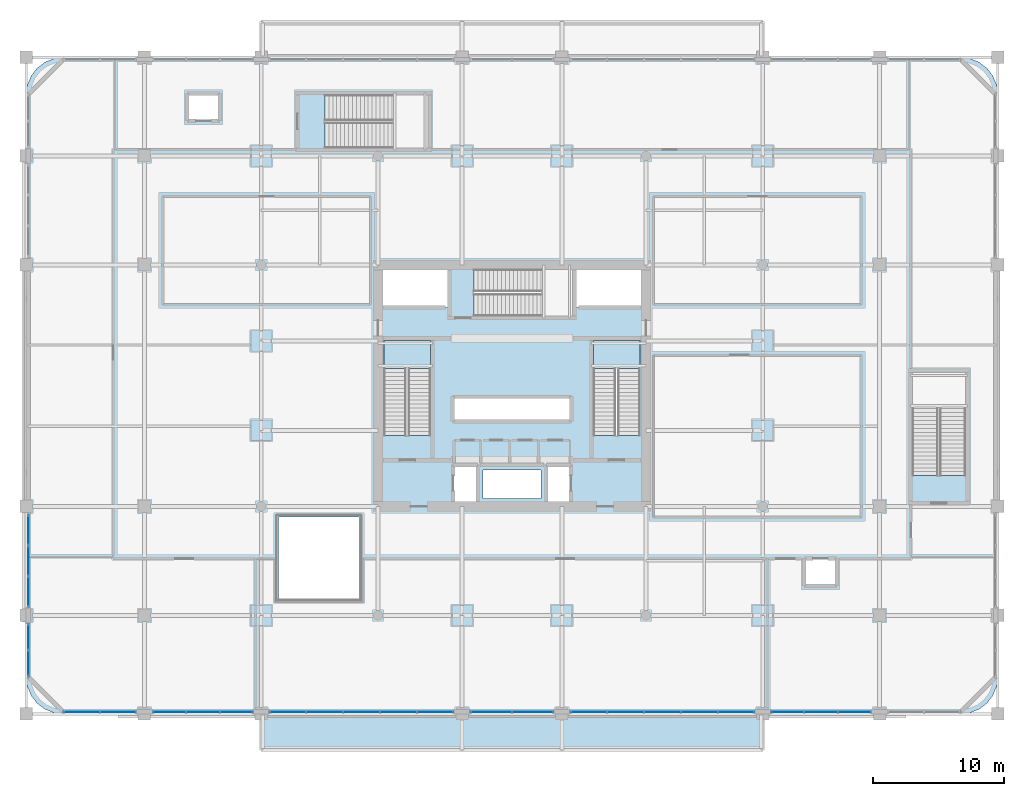
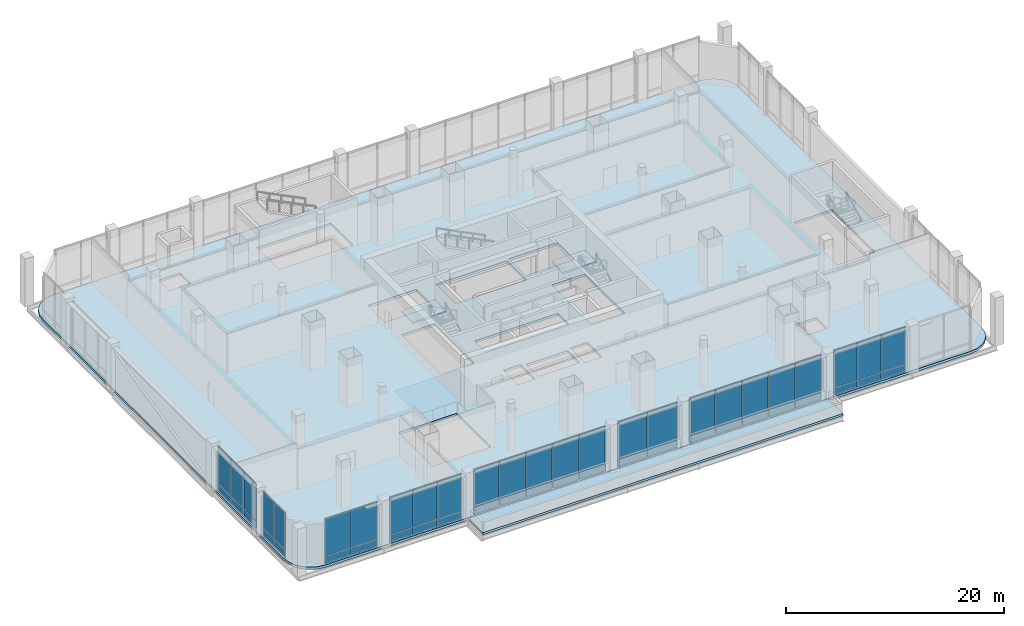
# One storey, part 24 of 43: 50 plates, 4 slabs, 10 elements without a shape of their own.
"""IFC4 building model written with IfcOpenShell, lengths in metres."""

from ifc_helpers import new_model, si_unit, direction, frame, origin, origin_2d, place, context, subcontext, project, spatial, polyline, rectangle, outline, extrude, material, layer, layer_set, type_object, element, aggregate, save


model = new_model("IFC4")

# Units and contexts
model_context = context("Model", 3, precision=1e-05, world=origin(), true_north=direction((0.0, 1.0)))
body_context = subcontext(model_context, "Body", "Model", "MODEL_VIEW")
ifc_project = project(units=[si_unit("LENGTHUNIT", "METRE"), si_unit("AREAUNIT", "SQUARE_METRE"), si_unit("VOLUMEUNIT", "CUBIC_METRE"), si_unit("PLANEANGLEUNIT", "RADIAN"), si_unit("MASSUNIT", "GRAM", prefix="KILO")], contexts=[model_context])

# Site, building, storey
site_placement = place(None, origin())
site = spatial("IfcSite", under=ifc_project, at=site_placement, CompositionType="ELEMENT")
building_placement = place(site_placement, origin())
building = spatial("IfcBuilding", under=site, at=building_placement, Name="Punatoya Terracotta Tower", CompositionType="ELEMENT")
storey_placement = place(building_placement, frame((0.0, 0.0, 6.0)))
storey = spatial("IfcBuildingStorey", under=building, at=storey_placement, Name="L01", CompositionType="ELEMENT", Elevation=6.0)

# Curtain wall, plates
ifc_material_1 = material(Name="Aluminium 6063-T6 + Double Low-E Glass", Category="aluminium")
curtain_wall_type = type_object("IfcCurtainWallType", Name="CW-POD", PredefinedType="NOTDEFINED", material=ifc_material_1)
curtain_wall_1_placement = place(storey_placement, origin())
curtain_wall_1 = element("IfcCurtainWall", 1, at=curtain_wall_1_placement, inside=storey, type_object=curtain_wall_type, Name="L01 Curtain Wall CWP-L01-S1", PredefinedType="NOTDEFINED")
ifc_material_2 = material(Name="Double Low-E Clear Vision Glass", Category="glass")
ifc_layer_1 = layer(ifc_material_2, 0.028076171875)
ifc_layer_set_1 = layer_set([ifc_layer_1], Name="Double Low-E Clear Vision Glass")
plate_type_1 = type_object("IfcPlateType", Name="PLT-GLZ-28", PredefinedType="CURTAIN_PANEL", material=ifc_layer_set_1)
plate_1_placement = place(storey_placement, frame((-32.804931640625, -24.840087890625, 0.89013671875), z_axis=(0.0, 0.0, 1.0), x_axis=(1.0, 0.0, 0.0)))
plate_1 = element("IfcPlate", 2, at=plate_1_placement, type_object=plate_type_1, Name="CWP-L01-S1 Vision Glass Panel 1", PredefinedType="CURTAIN_PANEL", context=body_context, shape_type="SweptSolid", body=[
    extrude(rectangle(XDim=2.705078125, YDim=0.028076171875, at=origin_2d()), origin(), (0.0, 0.0, 1.0), 4.18994140625),
])
plate_2_placement = place(storey_placement, frame((-30.014892578125, -24.840087890625, 0.89013671875), z_axis=(0.0, 0.0, 1.0), x_axis=(1.0, 0.0, 0.0)))
plate_2 = element("IfcPlate", 3, at=plate_2_placement, type_object=plate_type_1, Name="CWP-L01-S1 Vision Glass Panel 2", PredefinedType="CURTAIN_PANEL", context=body_context, shape_type="SweptSolid", body=[
    extrude(rectangle(XDim=2.705078125, YDim=0.028076171875, at=origin_2d()), origin(), (0.0, 0.0, 1.0), 4.18994140625),
])

curtain_wall_2_placement = place(storey_placement, origin())
curtain_wall_2 = element("IfcCurtainWall", 4, at=curtain_wall_2_placement, inside=storey, type_object=curtain_wall_type, Name="L01 Curtain Wall CWP-L01-S2", PredefinedType="NOTDEFINED")
plate_3_placement = place(storey_placement, frame((-26.103271484375, -24.840087890625, 0.89013671875), z_axis=(0.0, 0.0, 1.0), x_axis=(1.0, 0.0, 0.0)))
plate_3 = element("IfcPlate", 5, at=plate_3_placement, type_object=plate_type_1, Name="CWP-L01-S2 Vision Glass Panel 1", PredefinedType="CURTAIN_PANEL", context=body_context, shape_type="SweptSolid", body=[
    extrude(rectangle(XDim=2.46826171875, YDim=0.028076171875, at=origin_2d()), origin(), (0.0, 0.0, 1.0), 4.18994140625),
])
plate_4_placement = place(storey_placement, frame((-23.550048828125, -24.840087890625, 0.89013671875), z_axis=(0.0, 0.0, 1.0), x_axis=(1.0, 0.0, 0.0)))
plate_4 = element("IfcPlate", 6, at=plate_4_placement, type_object=plate_type_1, Name="CWP-L01-S2 Vision Glass Panel 2", PredefinedType="CURTAIN_PANEL", context=body_context, shape_type="SweptSolid", body=[
    extrude(rectangle(XDim=2.46826171875, YDim=0.028076171875, at=origin_2d()), origin(), (0.0, 0.0, 1.0), 4.18994140625),
])
plate_5_placement = place(storey_placement, frame((-20.99658203125, -24.840087890625, 0.89013671875), z_axis=(0.0, 0.0, 1.0), x_axis=(1.0, 0.0, 0.0)))
plate_5 = element("IfcPlate", 7, at=plate_5_placement, type_object=plate_type_1, Name="CWP-L01-S2 Vision Glass Panel 3", PredefinedType="CURTAIN_PANEL", context=body_context, shape_type="SweptSolid", body=[
    extrude(rectangle(XDim=2.46826171875, YDim=0.028076171875, at=origin_2d()), origin(), (0.0, 0.0, 1.0), 4.18994140625),
])

curtain_wall_3_placement = place(storey_placement, origin())
curtain_wall_3 = element("IfcCurtainWall", 8, at=curtain_wall_3_placement, inside=storey, type_object=curtain_wall_type, Name="L01 Curtain Wall CWP-L01-S3", PredefinedType="NOTDEFINED")
plate_6_placement = place(storey_placement, frame((-17.073974609375, -24.840087890625, 0.89013671875), z_axis=(0.0, 0.0, 1.0), x_axis=(1.0, 0.0, 0.0)))
plate_6 = element("IfcPlate", 9, at=plate_6_placement, type_object=plate_type_1, Name="CWP-L01-S3 Vision Glass Panel 1", PredefinedType="CURTAIN_PANEL", context=body_context, shape_type="SweptSolid", body=[
    extrude(rectangle(XDim=2.72705078125, YDim=0.028076171875, at=origin_2d()), origin(), (0.0, 0.0, 1.0), 4.18994140625),
])
plate_7_placement = place(storey_placement, frame((-14.261962890625, -24.840087890625, 0.89013671875), z_axis=(0.0, 0.0, 1.0), x_axis=(1.0, 0.0, 0.0)))
plate_7 = element("IfcPlate", 10, at=plate_7_placement, type_object=plate_type_1, Name="CWP-L01-S3 Vision Glass Panel 2", PredefinedType="CURTAIN_PANEL", context=body_context, shape_type="SweptSolid", body=[
    extrude(rectangle(XDim=2.72705078125, YDim=0.028076171875, at=origin_2d()), origin(), (0.0, 0.0, 1.0), 4.18994140625),
])
plate_8_placement = place(storey_placement, frame((-11.449951171875, -24.840087890625, 0.89013671875), z_axis=(0.0, 0.0, 1.0), x_axis=(1.0, 0.0, 0.0)))
plate_8 = element("IfcPlate", 11, at=plate_8_placement, type_object=plate_type_1, Name="CWP-L01-S3 Vision Glass Panel 3", PredefinedType="CURTAIN_PANEL", context=body_context, shape_type="SweptSolid", body=[
    extrude(rectangle(XDim=2.72705078125, YDim=0.028076171875, at=origin_2d()), origin(), (0.0, 0.0, 1.0), 4.18994140625),
])
plate_9_placement = place(storey_placement, frame((-8.637939453125, -24.840087890625, 0.89013671875), z_axis=(0.0, 0.0, 1.0), x_axis=(1.0, 0.0, 0.0)))
plate_9 = element("IfcPlate", 12, at=plate_9_placement, type_object=plate_type_1, Name="CWP-L01-S3 Vision Glass Panel 4", PredefinedType="CURTAIN_PANEL", context=body_context, shape_type="SweptSolid", body=[
    extrude(rectangle(XDim=2.72705078125, YDim=0.028076171875, at=origin_2d()), origin(), (0.0, 0.0, 1.0), 4.18994140625),
])
plate_10_placement = place(storey_placement, frame((-5.825927734375, -24.840087890625, 0.89013671875), z_axis=(0.0, 0.0, 1.0), x_axis=(1.0, 0.0, 0.0)))
plate_10 = element("IfcPlate", 13, at=plate_10_placement, type_object=plate_type_1, Name="CWP-L01-S3 Vision Glass Panel 5", PredefinedType="CURTAIN_PANEL", context=body_context, shape_type="SweptSolid", body=[
    extrude(rectangle(XDim=2.72705078125, YDim=0.028076171875, at=origin_2d()), origin(), (0.0, 0.0, 1.0), 4.18994140625),
])

curtain_wall_4_placement = place(storey_placement, origin())
curtain_wall_4 = element("IfcCurtainWall", 14, at=curtain_wall_4_placement, inside=storey, type_object=curtain_wall_type, Name="L01 Curtain Wall CWP-L01-S4", PredefinedType="NOTDEFINED")
plate_11_placement = place(storey_placement, frame((-1.590087890625, -24.840087890625, 0.89013671875), z_axis=(0.0, 0.0, 1.0), x_axis=(1.0, 0.0, 0.0)))
plate_11 = element("IfcPlate", 15, at=plate_11_placement, type_object=plate_type_1, Name="CWP-L01-S4 Vision Glass Panel 1", PredefinedType="CURTAIN_PANEL", context=body_context, shape_type="SweptSolid", body=[
    extrude(rectangle(XDim=3.094970703125, YDim=0.028076171875, at=origin_2d()), origin(), (0.0, 0.0, 1.0), 4.18994140625),
])
plate_12_placement = place(storey_placement, frame((1.590087890625, -24.840087890625, 0.89013671875), z_axis=(0.0, 0.0, 1.0), x_axis=(1.0, 0.0, 0.0)))
plate_12 = element("IfcPlate", 16, at=plate_12_placement, type_object=plate_type_1, Name="CWP-L01-S4 Vision Glass Panel 2", PredefinedType="CURTAIN_PANEL", context=body_context, shape_type="SweptSolid", body=[
    extrude(rectangle(XDim=3.094970703125, YDim=0.028076171875, at=origin_2d()), origin(), (0.0, 0.0, 1.0), 4.18994140625),
])

curtain_wall_5_placement = place(storey_placement, origin())
curtain_wall_5 = element("IfcCurtainWall", 17, at=curtain_wall_5_placement, inside=storey, type_object=curtain_wall_type, Name="L01 Curtain Wall CWP-L01-S5", PredefinedType="NOTDEFINED")
plate_13_placement = place(storey_placement, frame((5.825927734375, -24.840087890625, 0.89013671875), z_axis=(0.0, 0.0, 1.0), x_axis=(1.0, 0.0, 0.0)))
plate_13 = element("IfcPlate", 18, at=plate_13_placement, type_object=plate_type_1, Name="CWP-L01-S5 Vision Glass Panel 1", PredefinedType="CURTAIN_PANEL", context=body_context, shape_type="SweptSolid", body=[
    extrude(rectangle(XDim=2.72705078125, YDim=0.028076171875, at=origin_2d()), origin(), (0.0, 0.0, 1.0), 4.18994140625),
])
plate_14_placement = place(storey_placement, frame((8.637939453125, -24.840087890625, 0.89013671875), z_axis=(0.0, 0.0, 1.0), x_axis=(1.0, 0.0, 0.0)))
plate_14 = element("IfcPlate", 19, at=plate_14_placement, type_object=plate_type_1, Name="CWP-L01-S5 Vision Glass Panel 2", PredefinedType="CURTAIN_PANEL", context=body_context, shape_type="SweptSolid", body=[
    extrude(rectangle(XDim=2.72705078125, YDim=0.028076171875, at=origin_2d()), origin(), (0.0, 0.0, 1.0), 4.18994140625),
])
plate_15_placement = place(storey_placement, frame((11.449951171875, -24.840087890625, 0.89013671875), z_axis=(0.0, 0.0, 1.0), x_axis=(1.0, 0.0, 0.0)))
plate_15 = element("IfcPlate", 20, at=plate_15_placement, type_object=plate_type_1, Name="CWP-L01-S5 Vision Glass Panel 3", PredefinedType="CURTAIN_PANEL", context=body_context, shape_type="SweptSolid", body=[
    extrude(rectangle(XDim=2.72705078125, YDim=0.028076171875, at=origin_2d()), origin(), (0.0, 0.0, 1.0), 4.18994140625),
])
plate_16_placement = place(storey_placement, frame((14.261962890625, -24.840087890625, 0.89013671875), z_axis=(0.0, 0.0, 1.0), x_axis=(1.0, 0.0, 0.0)))
plate_16 = element("IfcPlate", 21, at=plate_16_placement, type_object=plate_type_1, Name="CWP-L01-S5 Vision Glass Panel 4", PredefinedType="CURTAIN_PANEL", context=body_context, shape_type="SweptSolid", body=[
    extrude(rectangle(XDim=2.72705078125, YDim=0.028076171875, at=origin_2d()), origin(), (0.0, 0.0, 1.0), 4.18994140625),
])
plate_17_placement = place(storey_placement, frame((17.073974609375, -24.840087890625, 0.89013671875), z_axis=(0.0, 0.0, 1.0), x_axis=(1.0, 0.0, 0.0)))
plate_17 = element("IfcPlate", 22, at=plate_17_placement, type_object=plate_type_1, Name="CWP-L01-S5 Vision Glass Panel 5", PredefinedType="CURTAIN_PANEL", context=body_context, shape_type="SweptSolid", body=[
    extrude(rectangle(XDim=2.72705078125, YDim=0.028076171875, at=origin_2d()), origin(), (0.0, 0.0, 1.0), 4.18994140625),
])

curtain_wall_6_placement = place(storey_placement, origin())
curtain_wall_6 = element("IfcCurtainWall", 23, at=curtain_wall_6_placement, inside=storey, type_object=curtain_wall_type, Name="L01 Curtain Wall CWP-L01-S6", PredefinedType="NOTDEFINED")
plate_18_placement = place(storey_placement, frame((20.99658203125, -24.840087890625, 0.89013671875), z_axis=(0.0, 0.0, 1.0), x_axis=(1.0, 0.0, 0.0)))
plate_18 = element("IfcPlate", 24, at=plate_18_placement, type_object=plate_type_1, Name="CWP-L01-S6 Vision Glass Panel 1", PredefinedType="CURTAIN_PANEL", context=body_context, shape_type="SweptSolid", body=[
    extrude(rectangle(XDim=2.46826171875, YDim=0.028076171875, at=origin_2d()), origin(), (0.0, 0.0, 1.0), 4.18994140625),
])
plate_19_placement = place(storey_placement, frame((23.550048828125, -24.840087890625, 0.89013671875), z_axis=(0.0, 0.0, 1.0), x_axis=(1.0, 0.0, 0.0)))
plate_19 = element("IfcPlate", 25, at=plate_19_placement, type_object=plate_type_1, Name="CWP-L01-S6 Vision Glass Panel 2", PredefinedType="CURTAIN_PANEL", context=body_context, shape_type="SweptSolid", body=[
    extrude(rectangle(XDim=2.46826171875, YDim=0.028076171875, at=origin_2d()), origin(), (0.0, 0.0, 1.0), 4.18994140625),
])
plate_20_placement = place(storey_placement, frame((26.103271484375, -24.840087890625, 0.89013671875), z_axis=(0.0, 0.0, 1.0), x_axis=(1.0, 0.0, 0.0)))
plate_20 = element("IfcPlate", 26, at=plate_20_placement, type_object=plate_type_1, Name="CWP-L01-S6 Vision Glass Panel 3", PredefinedType="CURTAIN_PANEL", context=body_context, shape_type="SweptSolid", body=[
    extrude(rectangle(XDim=2.46826171875, YDim=0.028076171875, at=origin_2d()), origin(), (0.0, 0.0, 1.0), 4.18994140625),
])

curtain_wall_7_placement = place(storey_placement, origin())
curtain_wall_7 = element("IfcCurtainWall", 27, at=curtain_wall_7_placement, inside=storey, type_object=curtain_wall_type, Name="L01 Curtain Wall CWP-L01-W1", PredefinedType="NOTDEFINED")
plate_21_placement = place(storey_placement, frame((-36.840087890625, -21.179931640625, 0.89013671875), z_axis=(0.0, 0.0, 1.0), x_axis=(0.0, 1.0, 0.0)))
plate_21 = element("IfcPlate", 28, at=plate_21_placement, type_object=plate_type_1, Name="CWP-L01-W1 Vision Glass Panel 1", PredefinedType="CURTAIN_PANEL", context=body_context, shape_type="SweptSolid", body=[
    extrude(rectangle(XDim=1.955078125, YDim=0.028076171875, at=origin_2d()), origin(), (0.0, 0.0, 1.0), 4.18994140625),
])
plate_22_placement = place(storey_placement, frame((-36.840087890625, -19.139892578125, 0.89013671875), z_axis=(0.0, 0.0, 1.0), x_axis=(0.0, 1.0, 0.0)))
plate_22 = element("IfcPlate", 29, at=plate_22_placement, type_object=plate_type_1, Name="CWP-L01-W1 Vision Glass Panel 2", PredefinedType="CURTAIN_PANEL", context=body_context, shape_type="SweptSolid", body=[
    extrude(rectangle(XDim=1.955078125, YDim=0.028076171875, at=origin_2d()), origin(), (0.0, 0.0, 1.0), 4.18994140625),
])

curtain_wall_8_placement = place(storey_placement, origin())
curtain_wall_8 = element("IfcCurtainWall", 30, at=curtain_wall_8_placement, inside=storey, type_object=curtain_wall_type, Name="L01 Curtain Wall CWP-L01-W2", PredefinedType="NOTDEFINED")
plate_23_placement = place(storey_placement, frame((-36.840087890625, -15.703369140625, 0.89013671875), z_axis=(0.0, 0.0, 1.0), x_axis=(0.0, 1.0, 0.0)))
plate_23 = element("IfcPlate", 31, at=plate_23_placement, type_object=plate_type_1, Name="CWP-L01-W2 Vision Glass Panel 1", PredefinedType="CURTAIN_PANEL", context=body_context, shape_type="SweptSolid", body=[
    extrude(rectangle(XDim=2.268310546875, YDim=0.028076171875, at=origin_2d()), origin(), (0.0, 0.0, 1.0), 4.18994140625),
])
plate_24_placement = place(storey_placement, frame((-36.840087890625, -13.35009765625, 0.89013671875), z_axis=(0.0, 0.0, 1.0), x_axis=(0.0, 1.0, 0.0)))
plate_24 = element("IfcPlate", 32, at=plate_24_placement, type_object=plate_type_1, Name="CWP-L01-W2 Vision Glass Panel 2", PredefinedType="CURTAIN_PANEL", context=body_context, shape_type="SweptSolid", body=[
    extrude(rectangle(XDim=2.268310546875, YDim=0.028076171875, at=origin_2d()), origin(), (0.0, 0.0, 1.0), 4.18994140625),
])
plate_25_placement = place(storey_placement, frame((-36.840087890625, -10.99658203125, 0.89013671875), z_axis=(0.0, 0.0, 1.0), x_axis=(0.0, 1.0, 0.0)))
plate_25 = element("IfcPlate", 33, at=plate_25_placement, type_object=plate_type_1, Name="CWP-L01-W2 Vision Glass Panel 3", PredefinedType="CURTAIN_PANEL", context=body_context, shape_type="SweptSolid", body=[
    extrude(rectangle(XDim=2.268310546875, YDim=0.028076171875, at=origin_2d()), origin(), (0.0, 0.0, 1.0), 4.18994140625),
])

# Plate
ifc_material_3 = material(Name="Insulated Terracotta-Backed Spandrel Panel", Category="masonry")
ifc_layer_2 = layer(ifc_material_3, 0.044921875)
ifc_layer_set_2 = layer_set([ifc_layer_2], Name="Insulated Terracotta-Backed Spandrel Panel")
plate_type_2 = type_object("IfcPlateType", Name="PLT-SPN-45", PredefinedType="CURTAIN_PANEL", material=ifc_layer_set_2)
plate_26_placement = place(storey_placement, frame((-32.804931640625, -24.840087890625, 0.0400390625), z_axis=(0.0, 0.0, 1.0), x_axis=(1.0, 0.0, 0.0)))
plate_26 = element("IfcPlate", 34, at=plate_26_placement, type_object=plate_type_2, Name="CWP-L01-S1 Terracotta Spandrel Panel 1", PredefinedType="CURTAIN_PANEL", context=body_context, shape_type="SweptSolid", body=[
    extrude(rectangle(XDim=2.705078125, YDim=0.044921875, at=origin_2d()), origin(), (0.0, 0.0, 1.0), 0.77490234375),
])

plate_27_placement = place(storey_placement, frame((-30.014892578125, -24.840087890625, 0.0400390625), z_axis=(0.0, 0.0, 1.0), x_axis=(1.0, 0.0, 0.0)))
plate_27 = element("IfcPlate", 35, at=plate_27_placement, type_object=plate_type_2, Name="CWP-L01-S1 Terracotta Spandrel Panel 2", PredefinedType="CURTAIN_PANEL", context=body_context, shape_type="SweptSolid", body=[
    extrude(rectangle(XDim=2.705078125, YDim=0.044921875, at=origin_2d()), origin(), (0.0, 0.0, 1.0), 0.77490234375),
])

aggregate(curtain_wall_1, [plate_26, plate_1, plate_27, plate_2])

plate_28_placement = place(storey_placement, frame((-26.103271484375, -24.840087890625, 0.0400390625), z_axis=(0.0, 0.0, 1.0), x_axis=(1.0, 0.0, 0.0)))
plate_28 = element("IfcPlate", 36, at=plate_28_placement, type_object=plate_type_2, Name="CWP-L01-S2 Terracotta Spandrel Panel 1", PredefinedType="CURTAIN_PANEL", context=body_context, shape_type="SweptSolid", body=[
    extrude(rectangle(XDim=2.46826171875, YDim=0.044921875, at=origin_2d()), origin(), (0.0, 0.0, 1.0), 0.77490234375),
])

plate_29_placement = place(storey_placement, frame((-23.550048828125, -24.840087890625, 0.0400390625), z_axis=(0.0, 0.0, 1.0), x_axis=(1.0, 0.0, 0.0)))
plate_29 = element("IfcPlate", 37, at=plate_29_placement, type_object=plate_type_2, Name="CWP-L01-S2 Terracotta Spandrel Panel 2", PredefinedType="CURTAIN_PANEL", context=body_context, shape_type="SweptSolid", body=[
    extrude(rectangle(XDim=2.46826171875, YDim=0.044921875, at=origin_2d()), origin(), (0.0, 0.0, 1.0), 0.77490234375),
])

plate_30_placement = place(storey_placement, frame((-20.99658203125, -24.840087890625, 0.0400390625), z_axis=(0.0, 0.0, 1.0), x_axis=(1.0, 0.0, 0.0)))
plate_30 = element("IfcPlate", 38, at=plate_30_placement, type_object=plate_type_2, Name="CWP-L01-S2 Terracotta Spandrel Panel 3", PredefinedType="CURTAIN_PANEL", context=body_context, shape_type="SweptSolid", body=[
    extrude(rectangle(XDim=2.46826171875, YDim=0.044921875, at=origin_2d()), origin(), (0.0, 0.0, 1.0), 0.77490234375),
])

aggregate(curtain_wall_2, [plate_28, plate_3, plate_29, plate_4, plate_30, plate_5])

plate_31_placement = place(storey_placement, frame((-17.073974609375, -24.840087890625, 0.0400390625), z_axis=(0.0, 0.0, 1.0), x_axis=(1.0, 0.0, 0.0)))
plate_31 = element("IfcPlate", 39, at=plate_31_placement, type_object=plate_type_2, Name="CWP-L01-S3 Terracotta Spandrel Panel 1", PredefinedType="CURTAIN_PANEL", context=body_context, shape_type="SweptSolid", body=[
    extrude(rectangle(XDim=2.72705078125, YDim=0.044921875, at=origin_2d()), origin(), (0.0, 0.0, 1.0), 0.77490234375),
])

plate_32_placement = place(storey_placement, frame((-14.261962890625, -24.840087890625, 0.0400390625), z_axis=(0.0, 0.0, 1.0), x_axis=(1.0, 0.0, 0.0)))
plate_32 = element("IfcPlate", 40, at=plate_32_placement, type_object=plate_type_2, Name="CWP-L01-S3 Terracotta Spandrel Panel 2", PredefinedType="CURTAIN_PANEL", context=body_context, shape_type="SweptSolid", body=[
    extrude(rectangle(XDim=2.72705078125, YDim=0.044921875, at=origin_2d()), origin(), (0.0, 0.0, 1.0), 0.77490234375),
])

plate_33_placement = place(storey_placement, frame((-11.449951171875, -24.840087890625, 0.0400390625), z_axis=(0.0, 0.0, 1.0), x_axis=(1.0, 0.0, 0.0)))
plate_33 = element("IfcPlate", 41, at=plate_33_placement, type_object=plate_type_2, Name="CWP-L01-S3 Terracotta Spandrel Panel 3", PredefinedType="CURTAIN_PANEL", context=body_context, shape_type="SweptSolid", body=[
    extrude(rectangle(XDim=2.72705078125, YDim=0.044921875, at=origin_2d()), origin(), (0.0, 0.0, 1.0), 0.77490234375),
])

plate_34_placement = place(storey_placement, frame((-8.637939453125, -24.840087890625, 0.0400390625), z_axis=(0.0, 0.0, 1.0), x_axis=(1.0, 0.0, 0.0)))
plate_34 = element("IfcPlate", 42, at=plate_34_placement, type_object=plate_type_2, Name="CWP-L01-S3 Terracotta Spandrel Panel 4", PredefinedType="CURTAIN_PANEL", context=body_context, shape_type="SweptSolid", body=[
    extrude(rectangle(XDim=2.72705078125, YDim=0.044921875, at=origin_2d()), origin(), (0.0, 0.0, 1.0), 0.77490234375),
])

plate_35_placement = place(storey_placement, frame((-5.825927734375, -24.840087890625, 0.0400390625), z_axis=(0.0, 0.0, 1.0), x_axis=(1.0, 0.0, 0.0)))
plate_35 = element("IfcPlate", 43, at=plate_35_placement, type_object=plate_type_2, Name="CWP-L01-S3 Terracotta Spandrel Panel 5", PredefinedType="CURTAIN_PANEL", context=body_context, shape_type="SweptSolid", body=[
    extrude(rectangle(XDim=2.72705078125, YDim=0.044921875, at=origin_2d()), origin(), (0.0, 0.0, 1.0), 0.77490234375),
])

aggregate(curtain_wall_3, [plate_31, plate_6, plate_32, plate_7, plate_33, plate_8, plate_34, plate_9, plate_35, plate_10])

plate_36_placement = place(storey_placement, frame((-1.590087890625, -24.840087890625, 0.0400390625), z_axis=(0.0, 0.0, 1.0), x_axis=(1.0, 0.0, 0.0)))
plate_36 = element("IfcPlate", 44, at=plate_36_placement, type_object=plate_type_2, Name="CWP-L01-S4 Terracotta Spandrel Panel 1", PredefinedType="CURTAIN_PANEL", context=body_context, shape_type="SweptSolid", body=[
    extrude(rectangle(XDim=3.094970703125, YDim=0.044921875, at=origin_2d()), origin(), (0.0, 0.0, 1.0), 0.77490234375),
])

plate_37_placement = place(storey_placement, frame((1.590087890625, -24.840087890625, 0.0400390625), z_axis=(0.0, 0.0, 1.0), x_axis=(1.0, 0.0, 0.0)))
plate_37 = element("IfcPlate", 45, at=plate_37_placement, type_object=plate_type_2, Name="CWP-L01-S4 Terracotta Spandrel Panel 2", PredefinedType="CURTAIN_PANEL", context=body_context, shape_type="SweptSolid", body=[
    extrude(rectangle(XDim=3.094970703125, YDim=0.044921875, at=origin_2d()), origin(), (0.0, 0.0, 1.0), 0.77490234375),
])

aggregate(curtain_wall_4, [plate_36, plate_11, plate_37, plate_12])

plate_38_placement = place(storey_placement, frame((5.825927734375, -24.840087890625, 0.0400390625), z_axis=(0.0, 0.0, 1.0), x_axis=(1.0, 0.0, 0.0)))
plate_38 = element("IfcPlate", 46, at=plate_38_placement, type_object=plate_type_2, Name="CWP-L01-S5 Terracotta Spandrel Panel 1", PredefinedType="CURTAIN_PANEL", context=body_context, shape_type="SweptSolid", body=[
    extrude(rectangle(XDim=2.72705078125, YDim=0.044921875, at=origin_2d()), origin(), (0.0, 0.0, 1.0), 0.77490234375),
])

plate_39_placement = place(storey_placement, frame((8.637939453125, -24.840087890625, 0.0400390625), z_axis=(0.0, 0.0, 1.0), x_axis=(1.0, 0.0, 0.0)))
plate_39 = element("IfcPlate", 47, at=plate_39_placement, type_object=plate_type_2, Name="CWP-L01-S5 Terracotta Spandrel Panel 2", PredefinedType="CURTAIN_PANEL", context=body_context, shape_type="SweptSolid", body=[
    extrude(rectangle(XDim=2.72705078125, YDim=0.044921875, at=origin_2d()), origin(), (0.0, 0.0, 1.0), 0.77490234375),
])

plate_40_placement = place(storey_placement, frame((11.449951171875, -24.840087890625, 0.0400390625), z_axis=(0.0, 0.0, 1.0), x_axis=(1.0, 0.0, 0.0)))
plate_40 = element("IfcPlate", 48, at=plate_40_placement, type_object=plate_type_2, Name="CWP-L01-S5 Terracotta Spandrel Panel 3", PredefinedType="CURTAIN_PANEL", context=body_context, shape_type="SweptSolid", body=[
    extrude(rectangle(XDim=2.72705078125, YDim=0.044921875, at=origin_2d()), origin(), (0.0, 0.0, 1.0), 0.77490234375),
])

plate_41_placement = place(storey_placement, frame((14.261962890625, -24.840087890625, 0.0400390625), z_axis=(0.0, 0.0, 1.0), x_axis=(1.0, 0.0, 0.0)))
plate_41 = element("IfcPlate", 49, at=plate_41_placement, type_object=plate_type_2, Name="CWP-L01-S5 Terracotta Spandrel Panel 4", PredefinedType="CURTAIN_PANEL", context=body_context, shape_type="SweptSolid", body=[
    extrude(rectangle(XDim=2.72705078125, YDim=0.044921875, at=origin_2d()), origin(), (0.0, 0.0, 1.0), 0.77490234375),
])

plate_42_placement = place(storey_placement, frame((17.073974609375, -24.840087890625, 0.0400390625), z_axis=(0.0, 0.0, 1.0), x_axis=(1.0, 0.0, 0.0)))
plate_42 = element("IfcPlate", 50, at=plate_42_placement, type_object=plate_type_2, Name="CWP-L01-S5 Terracotta Spandrel Panel 5", PredefinedType="CURTAIN_PANEL", context=body_context, shape_type="SweptSolid", body=[
    extrude(rectangle(XDim=2.72705078125, YDim=0.044921875, at=origin_2d()), origin(), (0.0, 0.0, 1.0), 0.77490234375),
])

aggregate(curtain_wall_5, [plate_38, plate_13, plate_39, plate_14, plate_40, plate_15, plate_41, plate_16, plate_42, plate_17])

plate_43_placement = place(storey_placement, frame((20.99658203125, -24.840087890625, 0.0400390625), z_axis=(0.0, 0.0, 1.0), x_axis=(1.0, 0.0, 0.0)))
plate_43 = element("IfcPlate", 51, at=plate_43_placement, type_object=plate_type_2, Name="CWP-L01-S6 Terracotta Spandrel Panel 1", PredefinedType="CURTAIN_PANEL", context=body_context, shape_type="SweptSolid", body=[
    extrude(rectangle(XDim=2.46826171875, YDim=0.044921875, at=origin_2d()), origin(), (0.0, 0.0, 1.0), 0.77490234375),
])

plate_44_placement = place(storey_placement, frame((23.550048828125, -24.840087890625, 0.0400390625), z_axis=(0.0, 0.0, 1.0), x_axis=(1.0, 0.0, 0.0)))
plate_44 = element("IfcPlate", 52, at=plate_44_placement, type_object=plate_type_2, Name="CWP-L01-S6 Terracotta Spandrel Panel 2", PredefinedType="CURTAIN_PANEL", context=body_context, shape_type="SweptSolid", body=[
    extrude(rectangle(XDim=2.46826171875, YDim=0.044921875, at=origin_2d()), origin(), (0.0, 0.0, 1.0), 0.77490234375),
])

plate_45_placement = place(storey_placement, frame((26.103271484375, -24.840087890625, 0.0400390625), z_axis=(0.0, 0.0, 1.0), x_axis=(1.0, 0.0, 0.0)))
plate_45 = element("IfcPlate", 53, at=plate_45_placement, type_object=plate_type_2, Name="CWP-L01-S6 Terracotta Spandrel Panel 3", PredefinedType="CURTAIN_PANEL", context=body_context, shape_type="SweptSolid", body=[
    extrude(rectangle(XDim=2.46826171875, YDim=0.044921875, at=origin_2d()), origin(), (0.0, 0.0, 1.0), 0.77490234375),
])

aggregate(curtain_wall_6, [plate_43, plate_18, plate_44, plate_19, plate_45, plate_20])

plate_46_placement = place(storey_placement, frame((-36.840087890625, -21.179931640625, 0.0400390625), z_axis=(0.0, 0.0, 1.0), x_axis=(0.0, 1.0, 0.0)))
plate_46 = element("IfcPlate", 54, at=plate_46_placement, type_object=plate_type_2, Name="CWP-L01-W1 Terracotta Spandrel Panel 1", PredefinedType="CURTAIN_PANEL", context=body_context, shape_type="SweptSolid", body=[
    extrude(rectangle(XDim=1.955078125, YDim=0.044921875, at=origin_2d()), origin(), (0.0, 0.0, 1.0), 0.77490234375),
])

plate_47_placement = place(storey_placement, frame((-36.840087890625, -19.139892578125, 0.0400390625), z_axis=(0.0, 0.0, 1.0), x_axis=(0.0, 1.0, 0.0)))
plate_47 = element("IfcPlate", 55, at=plate_47_placement, type_object=plate_type_2, Name="CWP-L01-W1 Terracotta Spandrel Panel 2", PredefinedType="CURTAIN_PANEL", context=body_context, shape_type="SweptSolid", body=[
    extrude(rectangle(XDim=1.955078125, YDim=0.044921875, at=origin_2d()), origin(), (0.0, 0.0, 1.0), 0.77490234375),
])

aggregate(curtain_wall_7, [plate_46, plate_21, plate_47, plate_22])

plate_48_placement = place(storey_placement, frame((-36.840087890625, -15.703369140625, 0.0400390625), z_axis=(0.0, 0.0, 1.0), x_axis=(0.0, 1.0, 0.0)))
plate_48 = element("IfcPlate", 56, at=plate_48_placement, type_object=plate_type_2, Name="CWP-L01-W2 Terracotta Spandrel Panel 1", PredefinedType="CURTAIN_PANEL", context=body_context, shape_type="SweptSolid", body=[
    extrude(rectangle(XDim=2.268310546875, YDim=0.044921875, at=origin_2d()), origin(), (0.0, 0.0, 1.0), 0.77490234375),
])

plate_49_placement = place(storey_placement, frame((-36.840087890625, -13.35009765625, 0.0400390625), z_axis=(0.0, 0.0, 1.0), x_axis=(0.0, 1.0, 0.0)))
plate_49 = element("IfcPlate", 57, at=plate_49_placement, type_object=plate_type_2, Name="CWP-L01-W2 Terracotta Spandrel Panel 2", PredefinedType="CURTAIN_PANEL", context=body_context, shape_type="SweptSolid", body=[
    extrude(rectangle(XDim=2.268310546875, YDim=0.044921875, at=origin_2d()), origin(), (0.0, 0.0, 1.0), 0.77490234375),
])

plate_50_placement = place(storey_placement, frame((-36.840087890625, -10.99658203125, 0.0400390625), z_axis=(0.0, 0.0, 1.0), x_axis=(0.0, 1.0, 0.0)))
plate_50 = element("IfcPlate", 58, at=plate_50_placement, type_object=plate_type_2, Name="CWP-L01-W2 Terracotta Spandrel Panel 3", PredefinedType="CURTAIN_PANEL", context=body_context, shape_type="SweptSolid", body=[
    extrude(rectangle(XDim=2.268310546875, YDim=0.044921875, at=origin_2d()), origin(), (0.0, 0.0, 1.0), 0.77490234375),
])

aggregate(curtain_wall_8, [plate_48, plate_23, plate_49, plate_24, plate_50, plate_25])

# Stair, slab
ifc_material_4 = material(Name="Concrete C40/50", Category="concrete")
stair_type_1 = type_object("IfcStairType", Name="STR-CORE-1550", PredefinedType="HALF_TURN_STAIR", material=ifc_material_4)
stair_1_placement = place(storey_placement, origin())
stair_1 = element("IfcStair", 59, at=stair_1_placement, inside=storey, type_object=stair_type_1, Name="L01 Protected Core Exit Stair ST-1", PredefinedType="HALF_TURN_STAIR")
ifc_layer_3 = layer(ifc_material_4, 0.179931640625)
ifc_layer_set_3 = layer_set([ifc_layer_3], Name="Concrete C40/50")
slab_type_1 = type_object("IfcSlabType", Name="SLB-LND-180", PredefinedType="LANDING", material=ifc_layer_set_3)
slab_1_placement = place(storey_placement, frame((0.0, 0.0, 2.5)))
slab_1 = element("IfcSlab", 60, at=slab_1_placement, type_object=slab_type_1, Name="ST-1 landing 1", PredefinedType="LANDING", context=body_context, shape_type="SweptSolid", body=[
    extrude(outline(polyline([(-6.199951171875, 1.300048828125), (-6.199951171875, 3.449951171875), (-9.75, 3.449951171875), (-9.75, 1.300048828125), (-6.199951171875, 1.300048828125)])), origin(), (0.0, 0.0, 1.0), 0.199951171875),
])
aggregate(stair_1, [slab_1])

stair_type_2 = type_object("IfcStairType", Name="STR-LOB-1650", PredefinedType="HALF_TURN_STAIR", material=ifc_material_4)
stair_2_placement = place(storey_placement, origin())
stair_2 = element("IfcStair", 61, at=stair_2_placement, inside=storey, type_object=stair_type_2, Name="L01 Protected Core Exit Stair ST-2", PredefinedType="HALF_TURN_STAIR")
slab_2_placement = place(storey_placement, frame((0.0, 0.0, 2.5)))
slab_2 = element("IfcSlab", 62, at=slab_2_placement, type_object=slab_type_1, Name="ST-2 landing 1", PredefinedType="LANDING", context=body_context, shape_type="SweptSolid", body=[
    extrude(outline(polyline([(9.75, 1.300048828125), (9.75, 3.449951171875), (6.199951171875, 3.449951171875), (6.199951171875, 1.300048828125), (9.75, 1.300048828125)])), origin(), (0.0, 0.0, 1.0), 0.199951171875),
])
aggregate(stair_2, [slab_2])

# Slabs
ifc_layer_4 = layer(ifc_material_4, 0.280029296875)
ifc_layer_set_4 = layer_set([ifc_layer_4], Name="Concrete C40/50")
slab_type_2 = type_object("IfcSlabType", Name="SLB-POD-280", PredefinedType="FLOOR", material=ifc_layer_set_4)
slab_3_placement = place(storey_placement, frame((0.0, 0.0, -0.280029296875)))
element("IfcSlab", 63, at=slab_3_placement, inside=storey, type_object=slab_type_2, Name="L01 Structural Floor Slab", PredefinedType="FLOOR", context=body_context, shape_type="SweptSolid", body=[
    extrude(outline(polyline([(-34.199951171875, -25.0), (-34.9248046875, -24.904541015625), (-35.60009765625, -24.625), (-36.179931640625, -24.179931640625), (-36.625, -23.60009765625), (-36.904541015625, -22.9248046875), (-37.0, -22.199951171875), (-37.0, 22.199951171875), (-36.904541015625, 22.9248046875), (-36.625, 23.60009765625), (-36.179931640625, 24.179931640625), (-35.60009765625, 24.625), (-34.9248046875, 24.904541015625), (-34.199951171875, 25.0), (34.199951171875, 25.0), (34.9248046875, 24.904541015625), (35.60009765625, 24.625), (36.179931640625, 24.179931640625), (36.625, 23.60009765625), (36.904541015625, 22.9248046875), (37.0, 22.199951171875), (37.0, -22.199951171875), (36.904541015625, -22.9248046875), (36.625, -23.60009765625), (36.179931640625, -24.179931640625), (35.60009765625, -24.625), (34.9248046875, -24.904541015625), (34.199951171875, -25.0), (-34.199951171875, -25.0)]), holes=[polyline([(-11.60009765625, -10.0), (-17.800048828125, -10.0), (-17.800048828125, -16.199951171875), (-11.60009765625, -16.199951171875), (-11.60009765625, -10.0)]), polyline([(-2.6298828125, -8.820068359375), (-2.6298828125, -6.179931640625), (-4.469970703125, -6.179931640625), (-4.469970703125, -8.820068359375), (-2.6298828125, -8.820068359375)]), polyline([(0.02001953125, -8.594970703125), (2.219970703125, -8.594970703125), (2.219970703125, -6.405029296875), (0.02001953125, -6.405029296875), (-0.02001953125, -6.405029296875), (-2.219970703125, -6.405029296875), (-2.219970703125, -8.594970703125), (-0.02001953125, -8.594970703125), (0.02001953125, -8.594970703125)]), polyline([(-2.219970703125, -2.719970703125), (-2.179931640625, -2.719970703125), (-0.02001953125, -2.719970703125), (0.02001953125, -2.719970703125), (2.179931640625, -2.719970703125), (2.219970703125, -2.719970703125), (4.419921875, -2.719970703125), (4.419921875, -0.780029296875), (2.219970703125, -0.780029296875), (2.179931640625, -0.780029296875), (0.02001953125, -0.780029296875), (-0.02001953125, -0.780029296875), (-2.179931640625, -0.780029296875), (-2.219970703125, -0.780029296875), (-4.419921875, -0.780029296875), (-4.419921875, -2.719970703125), (-2.219970703125, -2.719970703125)]), polyline([(-6.199951171875, 3.449951171875), (-9.75, 3.449951171875), (-9.75, -3.79931640625), (-6.199951171875, -3.79931640625), (-6.199951171875, 3.449951171875)]), polyline([(-4.89990234375, 5.949951171875), (-4.89990234375, 9.050048828125), (-10.050048828125, 9.050048828125), (-10.050048828125, 5.949951171875), (-4.89990234375, 5.949951171875)]), polyline([(-14.249267578125, 18.10009765625), (-6.39990234375, 18.10009765625), (-6.39990234375, 22.14990234375), (-14.249267578125, 22.14990234375), (-14.249267578125, 18.10009765625)]), polyline([(-24.6201171875, 20.22998046875), (-22.3798828125, 20.22998046875), (-22.3798828125, 22.169921875), (-24.6201171875, 22.169921875), (-24.6201171875, 20.22998046875)]), polyline([(24.6201171875, -15.169921875), (24.6201171875, -13.22998046875), (22.3798828125, -13.22998046875), (22.3798828125, -15.169921875), (24.6201171875, -15.169921875)]), polyline([(4.469970703125, -8.820068359375), (4.469970703125, -6.179931640625), (2.6298828125, -6.179931640625), (2.6298828125, -8.820068359375), (4.469970703125, -8.820068359375)]), polyline([(34.550048828125, 1.0), (30.5, 1.0), (30.5, -6.84912109375), (34.550048828125, -6.84912109375), (34.550048828125, 1.0)]), polyline([(9.75, 3.449951171875), (6.199951171875, 3.449951171875), (6.199951171875, -3.79931640625), (9.75, -3.79931640625), (9.75, 3.449951171875)]), polyline([(-2.899169921875, 5.300048828125), (4.60009765625, 5.300048828125), (4.60009765625, 8.85009765625), (-2.899169921875, 8.85009765625), (-2.899169921875, 5.300048828125)]), polyline([(4.89990234375, 5.949951171875), (10.050048828125, 5.949951171875), (10.050048828125, 9.050048828125), (4.89990234375, 9.050048828125), (4.89990234375, 5.949951171875)])]), origin(), (0.0, 0.0, 1.0), 0.280029296875),
])
ifc_layer_5 = layer(ifc_material_4, 0.25)
ifc_layer_set_5 = layer_set([ifc_layer_5], Name="Concrete C40/50")
slab_type_3 = type_object("IfcSlabType", Name="SLB-ROF-250", PredefinedType="ROOF", material=ifc_layer_set_5)
slab_4_placement = place(storey_placement, frame((0.0, 0.0, -0.25)))
element("IfcSlab", 64, at=slab_4_placement, inside=storey, type_object=slab_type_3, Name="L01 South Waterfront Colonnade Canopy Slab", PredefinedType="ROOF", context=body_context, shape_type="SweptSolid", body=[
    extrude(outline(polyline([(-19.10009765625, -27.75), (19.10009765625, -27.75), (19.10009765625, -25.0400390625), (-19.10009765625, -25.0400390625), (-19.10009765625, -27.75)])), origin(), (0.0, 0.0, 1.0), 0.25),
])

save(model, "model.ifc")
